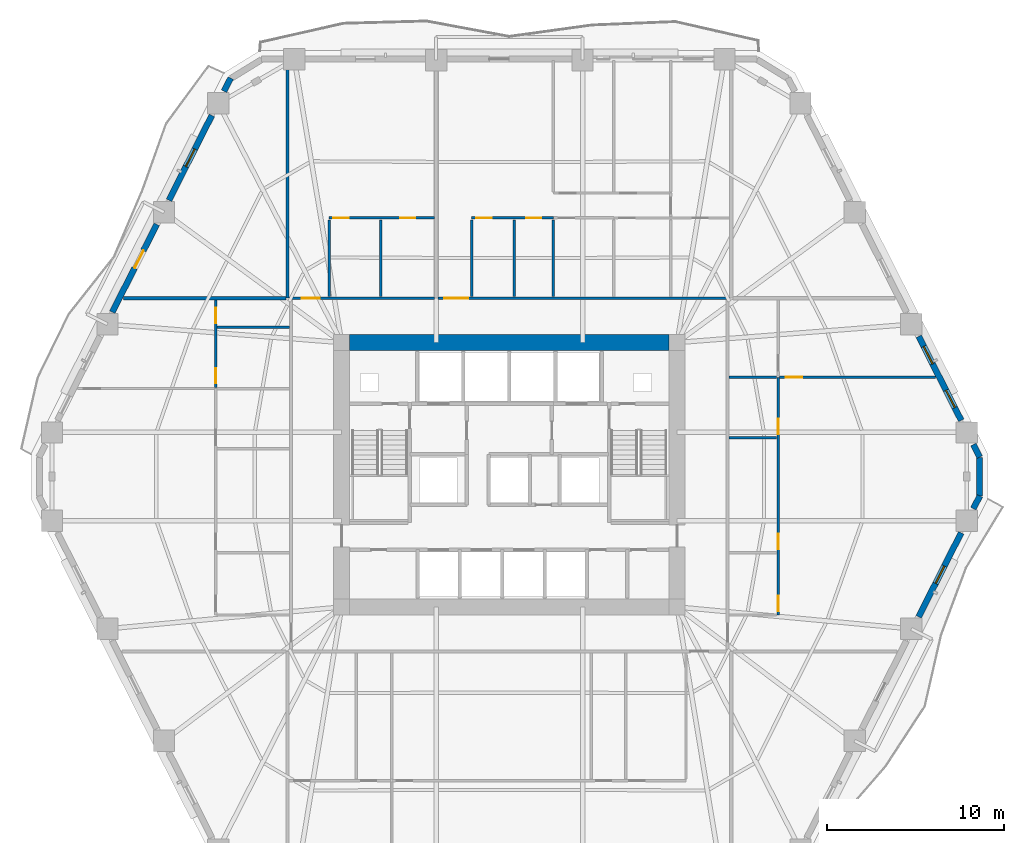
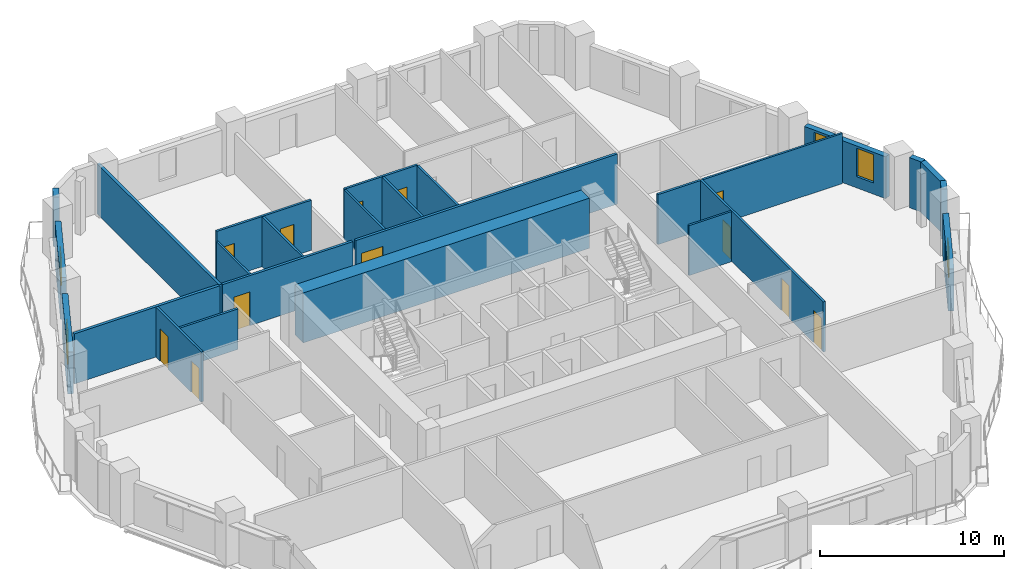
# One storey, part 6 of 13: 26 walls, 13 doors, 4 windows, 17 openings.
"""IFC4 building model written with IfcOpenShell, lengths in metres."""

from ifc_helpers import new_model, si_unit, direction, frame, frame_2d, origin, place, context, subcontext, project, spatial, rectangle, extrude, material, layer, layer_set, type_object, element, fill, save


model = new_model("IFC4")

# Units and contexts
model_context = context("Model", 3, precision=1e-05, world=origin(), true_north=direction((0.0, 1.0)))
body_context = subcontext(model_context, "Body", "Model", "MODEL_VIEW")
ifc_project = project(units=[si_unit("LENGTHUNIT", "METRE"), si_unit("AREAUNIT", "SQUARE_METRE"), si_unit("VOLUMEUNIT", "CUBIC_METRE"), si_unit("PLANEANGLEUNIT", "RADIAN"), si_unit("MASSUNIT", "GRAM", prefix="KILO")], contexts=[model_context])

# Site, building, storey
site_placement = place(None, origin())
site = spatial("IfcSite", under=ifc_project, at=site_placement, CompositionType="ELEMENT")
building_placement = place(site_placement, origin())
building = spatial("IfcBuilding", under=site, at=building_placement, Name="Cinnabar Lancet Tower", CompositionType="ELEMENT")
storey_placement = place(building_placement, frame((0.0, 0.0, 49.75)))
storey = spatial("IfcBuildingStorey", under=building, at=storey_placement, Name="L12", CompositionType="ELEMENT", Elevation=49.75)

# Wall, opening, door
ifc_material_1 = material(Name="Acoustic twin-stud gypsum partition", Category="gypsum")
ifc_layer_1 = layer(ifc_material_1, 0.159912109375)
ifc_layer_set_1 = layer_set([ifc_layer_1], Name="Acoustic twin-stud gypsum partition")
wall_type_1 = type_object("IfcWallType", Name="ARC-WL-CORR-160", PredefinedType="PARTITIONING", material=ifc_layer_set_1)
wall_1_placement = place(storey_placement, frame((19.9951171875, 35.85009765625, 0.0), z_axis=(0.0, 0.0, 1.0), x_axis=(1.0, 0.0, 0.0)))
wall_1 = element("IfcWall", 1, at=wall_1_placement, inside=storey, type_object=wall_type_1, Name="L12 Unit N01 Corridor Wall", PredefinedType="PARTITIONING", context=body_context, shape_type="SweptSolid", body=[
    extrude(rectangle(XDim=8.18798828125, YDim=0.159912109375, at=frame_2d((4.093994140625, 0.0))), origin(), (0.0, 0.0, 1.0), 3.330078125),
])
opening_1_placement = place(wall_1_placement, frame((0.705078125, 0.0, 0.0)))
opening_1 = element("IfcOpeningElement", 2, at=opening_1_placement, cuts=wall_1, Name="Opening UD-01", PredefinedType="OPENING", context=body_context, shape_type="SweptSolid", body=[
    extrude(rectangle(XDim=1.02001953125, YDim=2.25, at=frame_2d((0.510009765625, 1.125))), frame((0.0, 0.08984375, 0.0), z_axis=(0.0, -1.0, 0.0), x_axis=(1.0, 0.0, 0.0)), (0.0, 0.0, 1.0), 0.179931640625),
])
ifc_material_2 = material(Name="Solid timber fire-rated apartment entrance door", Category="wood")
door_type_1 = type_object("IfcDoorType", Name="ARC-DR-UNIT", OperationType="NOTDEFINED", PredefinedType="DOOR", material=ifc_material_2)
door_1_placement = place(opening_1_placement, origin())
door_1 = element("IfcDoor", 3, at=door_1_placement, inside=storey, type_object=door_type_1, Name="DR-L12-N01-ENT", OperationType="SINGLE_SWING_LEFT", OverallHeight=2.25, OverallWidth=1.02001953125, PredefinedType="DOOR", context=body_context, shape_type="SweptSolid", body=[
    extrude(rectangle(XDim=1.02001953125, YDim=2.25, at=frame_2d((0.510009765625, 1.125))), frame((0.0, 0.02490234375, 0.0), z_axis=(0.0, -1.0, 0.0), x_axis=(1.0, 0.0, 0.0)), (0.0, 0.0, 1.0), 0.050048828125),
])
fill(opening_1, door_1)

wall_2_placement = place(storey_placement, frame((28.373046875, 35.85009765625, 0.0), z_axis=(0.0, 0.0, 1.0), x_axis=(1.0, 0.0, 0.0)))
wall_2 = element("IfcWall", 4, at=wall_2_placement, inside=storey, type_object=wall_type_1, Name="L12 Unit N02 Corridor Wall", PredefinedType="PARTITIONING", context=body_context, shape_type="SweptSolid", body=[
    extrude(rectangle(XDim=16.431884765625, YDim=0.159912109375, at=frame_2d((8.2158203125, 0.0))), origin(), (0.0, 0.0, 1.0), 3.330078125),
])
opening_2_placement = place(wall_2_placement, frame((0.35498046875, 0.0, 0.0)))
opening_2 = element("IfcOpeningElement", 5, at=opening_2_placement, cuts=wall_2, Name="Opening UD-02", PredefinedType="OPENING", context=body_context, shape_type="SweptSolid", body=[
    extrude(rectangle(XDim=1.35009765625, YDim=2.35009765625, at=frame_2d((0.675048828125, 1.175048828125))), frame((0.0, 0.08984375, 0.0), z_axis=(0.0, -1.0, 0.0), x_axis=(1.0, 0.0, 0.0)), (0.0, 0.0, 1.0), 0.179931640625),
])
ifc_material_3 = material(Name="Double-leaf solid timber penthouse entrance door", Category="wood")
door_type_2 = type_object("IfcDoorType", Name="ARC-DR-UNIT-PH", OperationType="NOTDEFINED", PredefinedType="DOOR", material=ifc_material_3)
door_2_placement = place(opening_2_placement, origin())
door_2 = element("IfcDoor", 6, at=door_2_placement, inside=storey, type_object=door_type_2, Name="DR-L12-N02-ENT", OperationType="SINGLE_SWING_RIGHT", OverallHeight=2.35009765625, OverallWidth=1.35009765625, PredefinedType="DOOR", context=body_context, shape_type="SweptSolid", body=[
    extrude(rectangle(XDim=1.35009765625, YDim=2.35009765625, at=frame_2d((0.675048828125, 1.175048828125))), frame((0.0, 0.02490234375, 0.0), z_axis=(0.0, -1.0, 0.0), x_axis=(1.0, 0.0, 0.0)), (0.0, 0.0, 1.0), 0.050048828125),
])
fill(opening_2, door_2)

# Walls
ifc_material_4 = material(Name="Fire-rated twin-frame acoustic drywall", Category="gypsum")
ifc_layer_2 = layer(ifc_material_4, 0.179931640625)
ifc_layer_set_2 = layer_set([ifc_layer_2], Name="Fire-rated twin-frame acoustic drywall")
wall_type_2 = type_object("IfcWallType", Name="ARC-WL-PARTY-180", PredefinedType="PARTITIONING", material=ifc_layer_set_2)
wall_3_placement = place(storey_placement, frame((19.89990234375, 35.85009765625, 0.0), z_axis=(0.0, 0.0, 1.0), x_axis=(0.0, 1.0, 0.0)))
element("IfcWall", 7, at=wall_3_placement, inside=storey, type_object=wall_type_2, Name="PW-L12-NPTY-199", PredefinedType="PARTITIONING", context=body_context, shape_type="SweptSolid", body=[
    extrude(rectangle(XDim=13.294921875, YDim=0.179931640625, at=frame_2d((6.6474609375, 0.0))), origin(), (0.0, 0.0, 1.0), 3.330078125),
])
wall_4_placement = place(storey_placement, frame((10.6650390625, 35.85009765625, 0.0), z_axis=(0.0, 0.0, 1.0), x_axis=(1.0, 0.0, 0.0)))
element("IfcWall", 8, at=wall_4_placement, inside=storey, type_object=wall_type_2, Name="PW-L12-WNB", PredefinedType="PARTITIONING", context=body_context, shape_type="SweptSolid", body=[
    extrude(rectangle(XDim=9.139892578125, YDim=0.179931640625, at=frame_2d((4.56982421875, 0.0))), origin(), (0.0, 0.0, 1.0), 3.330078125),
])
ifc_material_5 = material(Name="Gypsum plasterboard stud partition", Category="gypsum")
ifc_layer_3 = layer(ifc_material_5, 0.125)
ifc_layer_set_3 = layer_set([ifc_layer_3], Name="Gypsum plasterboard stud partition")
wall_type_3 = type_object("IfcWallType", Name="ARC-WL-UNIT-125", PredefinedType="PARTITIONING", material=ifc_layer_set_3)
wall_5_placement = place(storey_placement, frame((22.25, 35.93505859375, 0.0), z_axis=(0.0, 0.0, 1.0), x_axis=(0.0, 1.0, 0.0)))
element("IfcWall", 9, at=wall_5_placement, inside=storey, type_object=wall_type_3, Name="UW-L12-N01-FOYE", PredefinedType="PARTITIONING", context=body_context, shape_type="SweptSolid", body=[
    extrude(rectangle(XDim=4.329833984375, YDim=0.125, at=frame_2d((2.1650390625, 0.0))), origin(), (0.0, 0.0, 1.0), 2.699951171875),
])
wall_6_placement = place(storey_placement, frame((30.278076171875, 35.93505859375, 0.0), z_axis=(0.0, 0.0, 1.0), x_axis=(0.0, 1.0, 0.0)))
element("IfcWall", 10, at=wall_6_placement, inside=storey, type_object=wall_type_3, Name="UW-L12-N02-FOYE", PredefinedType="PARTITIONING", context=body_context, shape_type="SweptSolid", body=[
    extrude(rectangle(XDim=4.329833984375, YDim=0.125, at=frame_2d((2.1650390625, 0.0))), origin(), (0.0, 0.0, 1.0), 3.330078125),
])

# Wall, opening, door
wall_7_placement = place(storey_placement, frame((47.625, 31.39208984375, 0.0), z_axis=(0.0, 0.0, 1.0), x_axis=(1.0, 0.0, 0.0)))
wall_7 = element("IfcWall", 11, at=wall_7_placement, inside=storey, type_object=wall_type_3, Name="UW-L12-E01-MBN", PredefinedType="PARTITIONING", context=body_context, shape_type="SweptSolid", body=[
    extrude(rectangle(XDim=8.781005859375, YDim=0.125, at=frame_2d((4.390625, 0.0))), origin(), (0.0, 0.0, 1.0), 3.330078125),
])
opening_3_placement = place(wall_7_placement, frame((0.35009765625, 0.0, 0.0)))
opening_3 = element("IfcOpeningElement", 12, at=opening_3_placement, cuts=wall_7, Name="Opening RD-01", PredefinedType="OPENING", context=body_context, shape_type="SweptSolid", body=[
    extrude(rectangle(XDim=0.919921875, YDim=2.14990234375, at=frame_2d((0.4599609375, 1.074951171875))), frame((0.0, 0.072509765625, 0.0), z_axis=(0.0, -1.0, 0.0), x_axis=(1.0, 0.0, 0.0)), (0.0, 0.0, 1.0), 0.14501953125),
])
ifc_material_6 = material(Name="Engineered timber bedroom door", Category="wood")
door_type_3 = type_object("IfcDoorType", Name="ARC-DR-ROOM", OperationType="NOTDEFINED", PredefinedType="DOOR", material=ifc_material_6)
door_3_placement = place(opening_3_placement, origin())
door_3 = element("IfcDoor", 13, at=door_3_placement, inside=storey, type_object=door_type_3, Name="DR-L12-E01-MBD", OperationType="SINGLE_SWING_LEFT", OverallHeight=2.14990234375, OverallWidth=0.919921875, PredefinedType="DOOR", context=body_context, shape_type="SweptSolid", body=[
    extrude(rectangle(XDim=0.919921875, YDim=2.14990234375, at=frame_2d((0.4599609375, 1.074951171875))), frame((0.0, 0.02490234375, 0.0), z_axis=(0.0, -1.0, 0.0), x_axis=(1.0, 0.0, 0.0)), (0.0, 0.0, 1.0), 0.050048828125),
])
fill(opening_3, door_3)

# Wall
wall_8_placement = place(storey_placement, frame((44.784912109375, 27.991943359375, 0.0), z_axis=(0.0, 0.0, 1.0), x_axis=(1.0, 0.0, 0.0)))
element("IfcWall", 14, at=wall_8_placement, inside=storey, type_object=wall_type_3, Name="UW-L12-E01-UDV", PredefinedType="PARTITIONING", context=body_context, shape_type="SweptSolid", body=[
    extrude(rectangle(XDim=2.68017578125, YDim=0.125, at=frame_2d((1.340087890625, 0.0))), origin(), (0.0, 0.0, 1.0), 3.330078125),
])

# Wall, openings, doors
ifc_material_7 = material(Name="Moisture-resistant cement-board plumbing wall", Category="masonry")
ifc_layer_4 = layer(ifc_material_7, 0.139892578125)
ifc_layer_set_4 = layer_set([ifc_layer_4], Name="Moisture-resistant cement-board plumbing wall")
wall_type_4 = type_object("IfcWallType", Name="ARC-WL-WET-140", PredefinedType="PLUMBINGWALL", material=ifc_layer_set_4)
wall_9_placement = place(storey_placement, frame((22.25, 40.3701171875, 0.0), z_axis=(0.0, 0.0, 1.0), x_axis=(1.0, 0.0, 0.0)))
wall_9 = element("IfcWall", 15, at=wall_9_placement, inside=storey, type_object=wall_type_4, Name="UW-L12-N01-SPL", PredefinedType="PLUMBINGWALL", context=body_context, shape_type="SweptSolid", body=[
    extrude(rectangle(XDim=5.93310546875, YDim=0.139892578125, at=frame_2d((2.966552734375, 0.0))), origin(), (0.0, 0.0, 1.0), 3.330078125),
])
opening_4_placement = place(wall_9_placement, frame((3.988037109375, 0.0, 0.0)))
opening_4 = element("IfcOpeningElement", 16, at=opening_4_placement, cuts=wall_9, Name="Opening BD-01", PredefinedType="OPENING", context=body_context, shape_type="SweptSolid", body=[
    extrude(rectangle(XDim=0.860107421875, YDim=2.10009765625, at=frame_2d((0.43017578125, 1.050048828125))), frame((0.0, 0.079833984375, 0.0), z_axis=(0.0, -1.0, 0.0), x_axis=(1.0, 0.0, 0.0)), (0.0, 0.0, 1.0), 0.159912109375),
])
opening_5_placement = place(wall_9_placement, frame((0.219970703125, 0.0, 0.0)))
opening_5 = element("IfcOpeningElement", 17, at=opening_5_placement, cuts=wall_9, Name="Opening RD-02", PredefinedType="OPENING", context=body_context, shape_type="SweptSolid", body=[
    extrude(rectangle(XDim=0.8798828125, YDim=2.14990234375, at=frame_2d((0.43994140625, 1.074951171875))), frame((0.0, 0.079833984375, 0.0), z_axis=(0.0, -1.0, 0.0), x_axis=(1.0, 0.0, 0.0)), (0.0, 0.0, 1.0), 0.159912109375),
])
ifc_material_8 = material(Name="Moisture-resistant timber bathroom door", Category="wood")
door_type_4 = type_object("IfcDoorType", Name="ARC-DR-BATH", OperationType="NOTDEFINED", PredefinedType="DOOR", material=ifc_material_8)
door_4_placement = place(opening_4_placement, origin())
door_4 = element("IfcDoor", 18, at=door_4_placement, inside=storey, type_object=door_type_4, Name="DR-L12-N01-BTH", OperationType="SINGLE_SWING_LEFT", OverallHeight=2.10009765625, OverallWidth=0.860107421875, PredefinedType="DOOR", context=body_context, shape_type="SweptSolid", body=[
    extrude(rectangle(XDim=0.860107421875, YDim=2.10009765625, at=frame_2d((0.43017578125, 1.050048828125))), frame((0.0, 0.02490234375, 0.0), z_axis=(0.0, -1.0, 0.0), x_axis=(1.0, 0.0, 0.0)), (0.0, 0.0, 1.0), 0.050048828125),
])
fill(opening_4, door_4)
ifc_material_9 = material(Name="Engineered timber study door", Category="wood")
door_type_5 = type_object("IfcDoorType", Name="ARC-DR-STUDY", OperationType="NOTDEFINED", PredefinedType="DOOR", material=ifc_material_9)
door_5_placement = place(opening_5_placement, origin())
door_5 = element("IfcDoor", 19, at=door_5_placement, inside=storey, type_object=door_type_5, Name="DR-L12-N01-KIT", OperationType="SINGLE_SWING_RIGHT", OverallHeight=2.14990234375, OverallWidth=0.8798828125, PredefinedType="DOOR", context=body_context, shape_type="SweptSolid", body=[
    extrude(rectangle(XDim=0.8798828125, YDim=2.14990234375, at=frame_2d((0.43994140625, 1.074951171875))), frame((0.0, 0.02490234375, 0.0), z_axis=(0.0, -1.0, 0.0), x_axis=(1.0, 0.0, 0.0)), (0.0, 0.0, 1.0), 0.050048828125),
])
fill(opening_5, door_5)

# Wall
wall_10_placement = place(storey_placement, frame((25.14306640625, 35.93505859375, 0.0), z_axis=(0.0, 0.0, 1.0), x_axis=(0.0, 1.0, 0.0)))
element("IfcWall", 20, at=wall_10_placement, inside=storey, type_object=wall_type_4, Name="UW-L12-N01-KDV", PredefinedType="PLUMBINGWALL", context=body_context, shape_type="SweptSolid", body=[
    extrude(rectangle(XDim=4.329833984375, YDim=0.139892578125, at=frame_2d((2.1650390625, 0.0))), origin(), (0.0, 0.0, 1.0), 3.330078125),
])

# Wall, openings, doors
wall_11_placement = place(storey_placement, frame((30.278076171875, 40.3701171875, 0.0), z_axis=(0.0, 0.0, 1.0), x_axis=(1.0, 0.0, 0.0)))
wall_11 = element("IfcWall", 21, at=wall_11_placement, inside=storey, type_object=wall_type_4, Name="UW-L12-N02-SPL", PredefinedType="PLUMBINGWALL", context=body_context, shape_type="SweptSolid", body=[
    extrude(rectangle(XDim=4.599853515625, YDim=0.139892578125, at=frame_2d((2.2998046875, 0.0))), origin(), (0.0, 0.0, 1.0), 3.330078125),
])
opening_6_placement = place(wall_11_placement, frame((3.071044921875, 0.0, 0.0)))
opening_6 = element("IfcOpeningElement", 22, at=opening_6_placement, cuts=wall_11, Name="Opening BD-01", PredefinedType="OPENING", context=body_context, shape_type="SweptSolid", body=[
    extrude(rectangle(XDim=0.860107421875, YDim=2.10009765625, at=frame_2d((0.43017578125, 1.050048828125))), frame((0.0, 0.079833984375, 0.0), z_axis=(0.0, -1.0, 0.0), x_axis=(1.0, 0.0, 0.0)), (0.0, 0.0, 1.0), 0.159912109375),
])
opening_7_placement = place(wall_11_placement, frame((0.260009765625, 0.0, 0.0)))
opening_7 = element("IfcOpeningElement", 23, at=opening_7_placement, cuts=wall_11, Name="Opening RD-02", PredefinedType="OPENING", context=body_context, shape_type="SweptSolid", body=[
    extrude(rectangle(XDim=0.8798828125, YDim=2.14990234375, at=frame_2d((0.43994140625, 1.074951171875))), frame((0.0, 0.079833984375, 0.0), z_axis=(0.0, -1.0, 0.0), x_axis=(1.0, 0.0, 0.0)), (0.0, 0.0, 1.0), 0.159912109375),
])
door_6_placement = place(opening_6_placement, origin())
door_6 = element("IfcDoor", 24, at=door_6_placement, inside=storey, type_object=door_type_4, Name="DR-L12-N02-BTH", OperationType="SINGLE_SWING_RIGHT", OverallHeight=2.10009765625, OverallWidth=0.860107421875, PredefinedType="DOOR", context=body_context, shape_type="SweptSolid", body=[
    extrude(rectangle(XDim=0.860107421875, YDim=2.10009765625, at=frame_2d((0.43017578125, 1.050048828125))), frame((0.0, 0.02490234375, 0.0), z_axis=(0.0, -1.0, 0.0), x_axis=(1.0, 0.0, 0.0)), (0.0, 0.0, 1.0), 0.050048828125),
])
fill(opening_6, door_6)
door_7_placement = place(opening_7_placement, origin())
door_7 = element("IfcDoor", 25, at=door_7_placement, inside=storey, type_object=door_type_5, Name="DR-L12-N02-KIT", OperationType="SINGLE_SWING_LEFT", OverallHeight=2.14990234375, OverallWidth=0.8798828125, PredefinedType="DOOR", context=body_context, shape_type="SweptSolid", body=[
    extrude(rectangle(XDim=0.8798828125, YDim=2.14990234375, at=frame_2d((0.43994140625, 1.074951171875))), frame((0.0, 0.02490234375, 0.0), z_axis=(0.0, -1.0, 0.0), x_axis=(1.0, 0.0, 0.0)), (0.0, 0.0, 1.0), 0.050048828125),
])
fill(opening_7, door_7)

# Walls
for number, where, z_axis, x_axis, name in (
    (26, (32.669921875, 35.93505859375, 0.0), (0.0, 0.0, 1.0), (0.0, 1.0, 0.0), "UW-L12-N02-KDV"),
    (27, (34.8779296875, 35.93505859375, 0.0), (0.0, 0.0, 1.0), (0.0, 1.0, 0.0), "UW-L12-N02-ENSW"),
):
    element("IfcWall", number, at=place(storey_placement, frame(where, z_axis=z_axis, x_axis=x_axis)), inside=storey, type_object=wall_type_4, Name=name, PredefinedType="PLUMBINGWALL", context=body_context, shape_type="SweptSolid", body=[
        extrude(rectangle(XDim=4.329833984375, YDim=0.139892578125, at=frame_2d((2.1650390625, 0.0))), origin(), (0.0, 0.0, 1.0), 3.330078125),
    ])

# Wall, openings, doors
wall_12_placement = place(storey_placement, frame((15.85009765625, 30.824951171875, 0.0), z_axis=(0.0, 0.0, 1.0), x_axis=(0.0, 1.0, 0.0)))
wall_12 = element("IfcWall", 28, at=wall_12_placement, inside=storey, type_object=wall_type_4, Name="UW-L12-W01-SPM", PredefinedType="PLUMBINGWALL", context=body_context, shape_type="SweptSolid", body=[
    extrude(rectangle(XDim=4.929931640625, YDim=0.139892578125, at=frame_2d((2.46484375, 0.0))), origin(), (0.0, 0.0, 1.0), 3.330078125),
])
opening_8_placement = place(wall_12_placement, frame((0.219970703125, 0.0, 0.0)))
opening_8 = element("IfcOpeningElement", 29, at=opening_8_placement, cuts=wall_12, Name="Opening BD-01", PredefinedType="OPENING", context=body_context, shape_type="SweptSolid", body=[
    extrude(rectangle(XDim=0.860107421875, YDim=2.10009765625, at=frame_2d((0.43017578125, 1.050048828125))), frame((0.0, 0.079833984375, 0.0), z_axis=(0.0, -1.0, 0.0), x_axis=(1.0, 0.0, 0.0)), (0.0, 0.0, 1.0), 0.159912109375),
])
opening_9_placement = place(wall_12_placement, frame((3.611083984375, 0.0, 0.0)))
opening_9 = element("IfcOpeningElement", 30, at=opening_9_placement, cuts=wall_12, Name="Opening RD-02", PredefinedType="OPENING", context=body_context, shape_type="SweptSolid", body=[
    extrude(rectangle(XDim=0.8798828125, YDim=2.14990234375, at=frame_2d((0.43994140625, 1.074951171875))), frame((0.0, 0.079833984375, 0.0), z_axis=(0.0, -1.0, 0.0), x_axis=(1.0, 0.0, 0.0)), (0.0, 0.0, 1.0), 0.159912109375),
])
door_8_placement = place(opening_8_placement, origin())
door_8 = element("IfcDoor", 31, at=door_8_placement, inside=storey, type_object=door_type_4, Name="DR-L12-W01-ENS", OperationType="SINGLE_SWING_RIGHT", OverallHeight=2.10009765625, OverallWidth=0.860107421875, PredefinedType="DOOR", context=body_context, shape_type="SweptSolid", body=[
    extrude(rectangle(XDim=0.860107421875, YDim=2.10009765625, at=frame_2d((0.43017578125, 1.050048828125))), frame((0.0, 0.02490234375, 0.0), z_axis=(0.0, -1.0, 0.0), x_axis=(1.0, 0.0, 0.0)), (0.0, 0.0, 1.0), 0.050048828125),
])
fill(opening_8, door_8)
door_9_placement = place(opening_9_placement, origin())
door_9 = element("IfcDoor", 32, at=door_9_placement, inside=storey, type_object=door_type_5, Name="DR-L12-W01-EWDR", OperationType="SINGLE_SWING_LEFT", OverallHeight=2.14990234375, OverallWidth=0.8798828125, PredefinedType="DOOR", context=body_context, shape_type="SweptSolid", body=[
    extrude(rectangle(XDim=0.8798828125, YDim=2.14990234375, at=frame_2d((0.43994140625, 1.074951171875))), frame((0.0, 0.02490234375, 0.0), z_axis=(0.0, -1.0, 0.0), x_axis=(1.0, 0.0, 0.0)), (0.0, 0.0, 1.0), 0.050048828125),
])
fill(opening_9, door_9)

# Wall
wall_13_placement = place(storey_placement, frame((15.93505859375, 34.216064453125, 0.0), z_axis=(0.0, 0.0, 1.0), x_axis=(1.0, 0.0, 0.0)))
element("IfcWall", 33, at=wall_13_placement, inside=storey, type_object=wall_type_4, Name="UW-L12-W01-EWDV", PredefinedType="PLUMBINGWALL", context=body_context, shape_type="SweptSolid", body=[
    extrude(rectangle(XDim=4.079833984375, YDim=0.139892578125, at=frame_2d((2.0400390625, 0.0))), origin(), (0.0, 0.0, 1.0), 2.699951171875),
])

# Wall, openings, doors
wall_14_placement = place(storey_placement, frame((47.550048828125, 18.0, 0.0), z_axis=(0.0, 0.0, 1.0), x_axis=(0.0, 1.0, 0.0)))
wall_14 = element("IfcWall", 34, at=wall_14_placement, inside=storey, type_object=wall_type_4, Name="UW-L12-E01-SPL", PredefinedType="PLUMBINGWALL", context=body_context, shape_type="SweptSolid", body=[
    extrude(rectangle(XDim=13.39208984375, YDim=0.139892578125, at=frame_2d((6.696044921875, 0.0))), origin(), (0.0, 0.0, 1.0), 3.330078125),
])
opening_10_placement = place(wall_14_placement, frame((0.199951171875, 0.0, 0.0)))
opening_10 = element("IfcOpeningElement", 35, at=opening_10_placement, cuts=wall_14, Name="Opening RD-02", PredefinedType="OPENING", context=body_context, shape_type="SweptSolid", body=[
    extrude(rectangle(XDim=0.8798828125, YDim=2.14990234375, at=frame_2d((0.43994140625, 1.074951171875))), frame((0.0, 0.079833984375, 0.0), z_axis=(0.0, -1.0, 0.0), x_axis=(1.0, 0.0, 0.0)), (0.0, 0.0, 1.0), 0.159912109375),
])
opening_11_placement = place(wall_14_placement, frame((3.699951171875, 0.0, 0.0)))
opening_11 = element("IfcOpeningElement", 36, at=opening_11_placement, cuts=wall_14, Name="Opening RD-02", PredefinedType="OPENING", context=body_context, shape_type="SweptSolid", body=[
    extrude(rectangle(XDim=0.8798828125, YDim=2.14990234375, at=frame_2d((0.43994140625, 1.074951171875))), frame((0.0, 0.079833984375, 0.0), z_axis=(0.0, -1.0, 0.0), x_axis=(1.0, 0.0, 0.0)), (0.0, 0.0, 1.0), 0.159912109375),
])
opening_12_placement = place(wall_14_placement, frame((10.19189453125, 0.0, 0.0)))
opening_12 = element("IfcOpeningElement", 37, at=opening_12_placement, cuts=wall_14, Name="Opening BD-01", PredefinedType="OPENING", context=body_context, shape_type="SweptSolid", body=[
    extrude(rectangle(XDim=0.860107421875, YDim=2.10009765625, at=frame_2d((0.43017578125, 1.050048828125))), frame((0.0, 0.079833984375, 0.0), z_axis=(0.0, -1.0, 0.0), x_axis=(1.0, 0.0, 0.0)), (0.0, 0.0, 1.0), 0.159912109375),
])
door_10_placement = place(opening_12_placement, origin())
door_10 = element("IfcDoor", 38, at=door_10_placement, inside=storey, type_object=door_type_4, Name="DR-L12-E01-BTH", OperationType="SINGLE_SWING_RIGHT", OverallHeight=2.10009765625, OverallWidth=0.860107421875, PredefinedType="DOOR", context=body_context, shape_type="SweptSolid", body=[
    extrude(rectangle(XDim=0.860107421875, YDim=2.10009765625, at=frame_2d((0.43017578125, 1.050048828125))), frame((0.0, 0.02490234375, 0.0), z_axis=(0.0, -1.0, 0.0), x_axis=(1.0, 0.0, 0.0)), (0.0, 0.0, 1.0), 0.050048828125),
])
fill(opening_12, door_10)
door_11_placement = place(opening_10_placement, origin())
door_11 = element("IfcDoor", 39, at=door_11_placement, inside=storey, type_object=door_type_5, Name="DR-L12-E01-KIT", OperationType="SINGLE_SWING_RIGHT", OverallHeight=2.14990234375, OverallWidth=0.8798828125, PredefinedType="DOOR", context=body_context, shape_type="SweptSolid", body=[
    extrude(rectangle(XDim=0.8798828125, YDim=2.14990234375, at=frame_2d((0.43994140625, 1.074951171875))), frame((0.0, 0.02490234375, 0.0), z_axis=(0.0, -1.0, 0.0), x_axis=(1.0, 0.0, 0.0)), (0.0, 0.0, 1.0), 0.050048828125),
])
fill(opening_10, door_11)
door_12_placement = place(opening_11_placement, origin())
door_12 = element("IfcDoor", 40, at=door_12_placement, inside=storey, type_object=door_type_5, Name="DR-L12-E01-UTL", OperationType="SINGLE_SWING_LEFT", OverallHeight=2.14990234375, OverallWidth=0.8798828125, PredefinedType="DOOR", context=body_context, shape_type="SweptSolid", body=[
    extrude(rectangle(XDim=0.8798828125, YDim=2.14990234375, at=frame_2d((0.43994140625, 1.074951171875))), frame((0.0, 0.02490234375, 0.0), z_axis=(0.0, -1.0, 0.0), x_axis=(1.0, 0.0, 0.0)), (0.0, 0.0, 1.0), 0.050048828125),
])
fill(opening_11, door_12)

# Walls
wall_15_placement = place(storey_placement, frame((44.784912109375, 31.39208984375, 0.0), z_axis=(0.0, 0.0, 1.0), x_axis=(1.0, 0.0, 0.0)))
element("IfcWall", 41, at=wall_15_placement, inside=storey, type_object=wall_type_4, Name="UW-L12-E01-ENSN", PredefinedType="PLUMBINGWALL", context=body_context, shape_type="SweptSolid", body=[
    extrude(rectangle(XDim=2.68017578125, YDim=0.139892578125, at=frame_2d((1.340087890625, 0.0))), origin(), (0.0, 0.0, 1.0), 3.330078125),
])
ifc_material_10 = material(Name="Cinnabar red clay brick", Category="masonry")
ifc_layer_5 = layer(ifc_material_10, 0.340087890625)
ifc_layer_set_5 = layer_set([ifc_layer_5], Name="Cinnabar red clay brick")
wall_type_5 = type_object("IfcWallType", Name="ENV-WL-BRK-RED-340", PredefinedType="STANDARD", material=ifc_layer_set_5)
wall_16_placement = place(storey_placement, frame((58.887939453125, 24.714111328125, 0.0), z_axis=(0.0, 0.0, 1.0), x_axis=(0.0, 1.0, 0.0)))
element("IfcWall", 42, at=wall_16_placement, inside=storey, type_object=wall_type_5, Name="L12 Chamfered Corner Brick Pier 3.1", PredefinedType="STANDARD", context=body_context, shape_type="SweptSolid", body=[
    extrude(rectangle(XDim=2.171875, YDim=0.340087890625, at=frame_2d((1.0859375, 0.0))), origin(), (0.0, 0.0, 1.0), 3.330078125),
])

# Wall, opening, window
wall_17_placement = place(storey_placement, frame((55.465087890625, 17.90087890625, 0.0), z_axis=(0.0, 0.0, 1.0), x_axis=(0.451572088722, 0.892234637686, 0.0)))
wall_17 = element("IfcWall", 43, at=wall_17_placement, inside=storey, type_object=wall_type_5, Name="L12 Face 2 Masonry Bay Wall 4", PredefinedType="STANDARD", context=body_context, shape_type="SweptSolid", body=[
    extrude(rectangle(XDim=5.3037109375, YDim=0.340087890625, at=frame_2d((2.65185546875, 0.0))), origin(), (0.0, 0.0, 1.0), 2.787109375),
])
opening_13_placement = place(wall_17_placement, frame((2.10205078125, 0.0, 0.75)))
opening_13 = element("IfcOpeningElement", 44, at=opening_13_placement, cuts=wall_17, Name="Opening WN-04", PredefinedType="OPENING", context=body_context, shape_type="SweptSolid", body=[
    extrude(rectangle(XDim=1.10009765625, YDim=1.886962890625, at=frame_2d((0.550048828125, 0.943359375))), frame((0.0, 0.179931640625, 0.0), z_axis=(0.0, -1.0, 0.0), x_axis=(1.0, 0.0, 0.0)), (0.0, 0.0, 1.0), 0.360107421875),
])
ifc_material_11 = material(Name="Thermally broken bronze-anodized aluminium tall lancet window", Category="aluminium")
window_type = type_object("IfcWindowType", Name="ENV-WN-LANCET-1100", PartitioningType="SINGLE_PANEL", PredefinedType="WINDOW", material=ifc_material_11)
window_1_placement = place(opening_13_placement, origin())
window_1 = element("IfcWindow", 45, at=window_1_placement, inside=storey, type_object=window_type, Name="L12 Face 2 Gothic Lancet Window 4", OverallHeight=1.886962890625, OverallWidth=1.10009765625, PartitioningType="SINGLE_PANEL", PredefinedType="WINDOW", context=body_context, shape_type="SweptSolid", body=[
    extrude(rectangle(XDim=1.10009765625, YDim=1.886962890625, at=frame_2d((0.550048828125, 0.943359375))), frame((0.0, 0.030029296875, 0.0), z_axis=(0.0, -1.0, 0.0), x_axis=(1.0, 0.0, 0.0)), (0.0, 0.0, 1.0), 0.06005859375),
])
fill(opening_13, window_1)

# Walls
for number, where, z_axis, x_axis, name in (
    (46, (58.548095703125, 23.9951171875, 0.0), (0.0, 0.0, 1.0), (0.452101093511, 0.891966704113, 0.0), "L12 Face 2 Masonry Bay Wall 5"),
    (47, (58.908935546875, 26.89306640625, 0.0), (0.0, 0.0, 1.0), (-0.452101093511, 0.891966704113, 0.0), "L12 Face 3 Masonry Bay Wall 1"),
):
    element("IfcWall", number, at=place(storey_placement, frame(where, z_axis=z_axis, x_axis=x_axis)), inside=storey, type_object=wall_type_5, Name=name, PredefinedType="STANDARD", context=body_context, shape_type="SweptSolid", body=[
        extrude(rectangle(XDim=0.798095703125, YDim=0.340087890625, at=frame_2d((0.39892578125, 0.0))), origin(), (0.0, 0.0, 1.0), 3.330078125),
    ])

# Wall, openings, windows
wall_18_placement = place(storey_placement, frame((57.860107421875, 28.967041015625, 0.0), z_axis=(0.0, 0.0, 1.0), x_axis=(-0.451590635984, 0.892225250422, 0.0)))
wall_18 = element("IfcWall", 48, at=wall_18_placement, inside=storey, type_object=wall_type_5, Name="L12 Face 3 Masonry Bay Wall 2", PredefinedType="STANDARD", context=body_context, shape_type="SweptSolid", body=[
    extrude(rectangle(XDim=5.303466796875, YDim=0.340087890625, at=frame_2d((2.65185546875, 0.0))), origin(), (0.0, 0.0, 1.0), 2.787109375),
])
opening_14_placement = place(wall_18_placement, frame((0.800048828125, 0.0, 0.75)))
opening_14 = element("IfcOpeningElement", 49, at=opening_14_placement, cuts=wall_18, Name="Opening WN-04", PredefinedType="OPENING", context=body_context, shape_type="SweptSolid", body=[
    extrude(rectangle(XDim=1.10009765625, YDim=1.886962890625, at=frame_2d((0.550048828125, 0.943359375))), frame((0.0, 0.179931640625, 0.0), z_axis=(0.0, -1.0, 0.0), x_axis=(1.0, 0.0, 0.0)), (0.0, 0.0, 1.0), 0.360107421875),
])
opening_15_placement = place(wall_18_placement, frame((3.572021484375, 0.0, 0.75)))
opening_15 = element("IfcOpeningElement", 50, at=opening_15_placement, cuts=wall_18, Name="Opening WN-04", PredefinedType="OPENING", context=body_context, shape_type="SweptSolid", body=[
    extrude(rectangle(XDim=1.10009765625, YDim=1.886962890625, at=frame_2d((0.550048828125, 0.943359375))), frame((0.0, 0.179931640625, 0.0), z_axis=(0.0, -1.0, 0.0), x_axis=(1.0, 0.0, 0.0)), (0.0, 0.0, 1.0), 0.360107421875),
])
window_2_placement = place(opening_14_placement, origin())
window_2 = element("IfcWindow", 51, at=window_2_placement, inside=storey, type_object=window_type, Name="L12 Face 3 Gothic Lancet Window 2", OverallHeight=1.886962890625, OverallWidth=1.10009765625, PartitioningType="SINGLE_PANEL", PredefinedType="WINDOW", context=body_context, shape_type="SweptSolid", body=[
    extrude(rectangle(XDim=1.10009765625, YDim=1.886962890625, at=frame_2d((0.550048828125, 0.943359375))), frame((0.0, 0.030029296875, 0.0), z_axis=(0.0, -1.0, 0.0), x_axis=(1.0, 0.0, 0.0)), (0.0, 0.0, 1.0), 0.06005859375),
])
fill(opening_14, window_2)
window_3_placement = place(opening_15_placement, origin())
window_3 = element("IfcWindow", 52, at=window_3_placement, inside=storey, type_object=window_type, Name="L12 Split-Bay Gothic Lancet Window 25", OverallHeight=1.886962890625, OverallWidth=1.10009765625, PartitioningType="SINGLE_PANEL", PredefinedType="WINDOW", context=body_context, shape_type="SweptSolid", body=[
    extrude(rectangle(XDim=1.10009765625, YDim=1.886962890625, at=frame_2d((0.550048828125, 0.943359375))), frame((0.0, 0.030029296875, 0.0), z_axis=(0.0, -1.0, 0.0), x_axis=(1.0, 0.0, 0.0)), (0.0, 0.0, 1.0), 0.06005859375),
])
fill(opening_15, window_3)

# Wall
wall_19_placement = place(storey_placement, frame((16.699951171875, 48.25390625, 0.0), z_axis=(0.0, 0.0, 1.0), x_axis=(-0.451995771866, -0.892020079491, 0.0)))
element("IfcWall", 53, at=wall_19_placement, inside=storey, type_object=wall_type_5, Name="L12 Face 5 Masonry Bay Wall 1", PredefinedType="STANDARD", context=body_context, shape_type="SweptSolid", body=[
    extrude(rectangle(XDim=0.836181640625, YDim=0.340087890625, at=frame_2d((0.41796875, 0.0))), origin(), (0.0, 0.0, 1.0), 3.330078125),
])

# Wall, opening, window
wall_20_placement = place(storey_placement, frame((15.634033203125, 46.14599609375, 0.0), z_axis=(0.0, 0.0, 1.0), x_axis=(-0.451697561555, -0.892171123095, 0.0)))
wall_20 = element("IfcWall", 54, at=wall_20_placement, inside=storey, type_object=wall_type_5, Name="L12 Face 5 Masonry Bay Wall 2", PredefinedType="STANDARD", context=body_context, shape_type="SweptSolid", body=[
    extrude(rectangle(XDim=5.350830078125, YDim=0.340087890625, at=frame_2d((2.67529296875, 0.0))), origin(), (0.0, 0.0, 1.0), 2.787109375),
])
opening_16_placement = place(wall_20_placement, frame((2.125, 0.0, 0.75)))
opening_16 = element("IfcOpeningElement", 55, at=opening_16_placement, cuts=wall_20, Name="Opening WN-04", PredefinedType="OPENING", context=body_context, shape_type="SweptSolid", body=[
    extrude(rectangle(XDim=1.10009765625, YDim=1.886962890625, at=frame_2d((0.550048828125, 0.943359375))), frame((0.0, 0.179931640625, 0.0), z_axis=(0.0, -1.0, 0.0), x_axis=(1.0, 0.0, 0.0)), (0.0, 0.0, 1.0), 0.360107421875),
])
window_4_placement = place(opening_16_placement, origin())
window_4 = element("IfcWindow", 56, at=window_4_placement, inside=storey, type_object=window_type, Name="L12 Face 5 Gothic Lancet Window 2", OverallHeight=1.886962890625, OverallWidth=1.10009765625, PartitioningType="SINGLE_PANEL", PredefinedType="WINDOW", context=body_context, shape_type="SweptSolid", body=[
    extrude(rectangle(XDim=1.10009765625, YDim=1.886962890625, at=frame_2d((0.550048828125, 0.943359375))), frame((0.0, 0.030029296875, 0.0), z_axis=(0.0, -1.0, 0.0), x_axis=(1.0, 0.0, 0.0)), (0.0, 0.0, 1.0), 0.06005859375),
])
fill(opening_16, window_4)

# Wall, opening, door
wall_21_placement = place(storey_placement, frame((12.529052734375, 40.010009765625, 0.0), z_axis=(0.0, 0.0, 1.0), x_axis=(-0.451627137896, -0.892206774417, 0.0)))
wall_21 = element("IfcWall", 57, at=wall_21_placement, inside=storey, type_object=wall_type_5, Name="L12 Face 5 Masonry Bay Wall 3", PredefinedType="STANDARD", context=body_context, shape_type="SweptSolid", body=[
    extrude(rectangle(XDim=5.546875, YDim=0.340087890625, at=frame_2d((2.7734375, 0.0))), origin(), (0.0, 0.0, 1.0), 2.787109375),
])
opening_17_placement = place(wall_21_placement, frame((1.656005859375, 0.0, 0.0)))
opening_17 = element("IfcOpeningElement", 58, at=opening_17_placement, cuts=wall_21, Name="Opening TD-01", PredefinedType="OPENING", context=body_context, shape_type="SweptSolid", body=[
    extrude(rectangle(XDim=1.10009765625, YDim=2.25, at=frame_2d((0.550048828125, 1.125))), frame((0.0, 0.179931640625, 0.0), z_axis=(0.0, -1.0, 0.0), x_axis=(1.0, 0.0, 0.0)), (0.0, 0.0, 1.0), 0.360107421875),
])
ifc_material_12 = material(Name="Thermally broken low-E glazed balcony terrace door", Category="wood")
door_type_6 = type_object("IfcDoorType", Name="ARC-DR-BALC", OperationType="NOTDEFINED", PredefinedType="DOOR", material=ifc_material_12)
door_13_placement = place(opening_17_placement, origin())
door_13 = element("IfcDoor", 59, at=door_13_placement, inside=storey, type_object=door_type_6, Name="L12 Face 5 Glazed Terrace Door", OperationType="SINGLE_SWING_LEFT", OverallHeight=2.25, OverallWidth=1.10009765625, PredefinedType="DOOR", context=body_context, shape_type="SweptSolid", body=[
    extrude(rectangle(XDim=1.10009765625, YDim=2.25, at=frame_2d((0.550048828125, 1.125))), frame((0.0, 0.02490234375, 0.0), z_axis=(0.0, -1.0, 0.0), x_axis=(1.0, 0.0, 0.0)), (0.0, 0.0, 1.0), 0.050048828125),
])
fill(opening_17, door_13)

# Wall
ifc_material_13 = material(Name="Concrete C80/95", Category="concrete")
ifc_layer_6 = layer(ifc_material_13, 0.89990234375)
ifc_layer_set_6 = layer_set([ifc_layer_6], Name="Concrete C80/95")
wall_type_6 = type_object("IfcWallType", Name="STR-WL-CORE-900", PredefinedType="SHEAR", material=ifc_layer_set_6)
wall_22_placement = place(storey_placement, frame((23.39990234375, 33.35009765625, 0.0), z_axis=(0.0, 0.0, 1.0), x_axis=(1.0, 0.0, 0.0)))
element("IfcWall", 60, at=wall_22_placement, inside=storey, type_object=wall_type_6, Name="L12 Core Shear Wall N", PredefinedType="SHEAR", context=body_context, shape_type="SweptSolid", body=[
    extrude(rectangle(XDim=18.0, YDim=0.89990234375, at=frame_2d((9.0, 0.0))), origin(), (0.0, 0.0, 1.0), 3.330078125),
])

save(model, "model.ifc")
